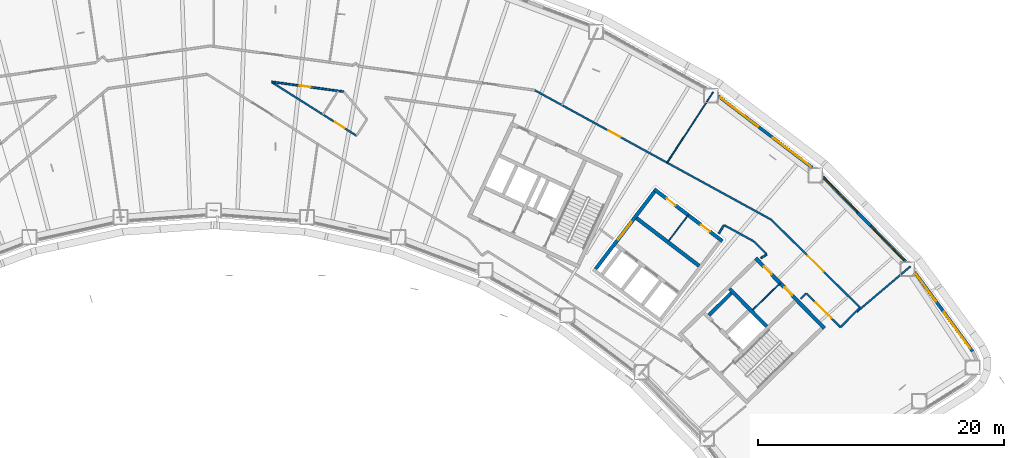
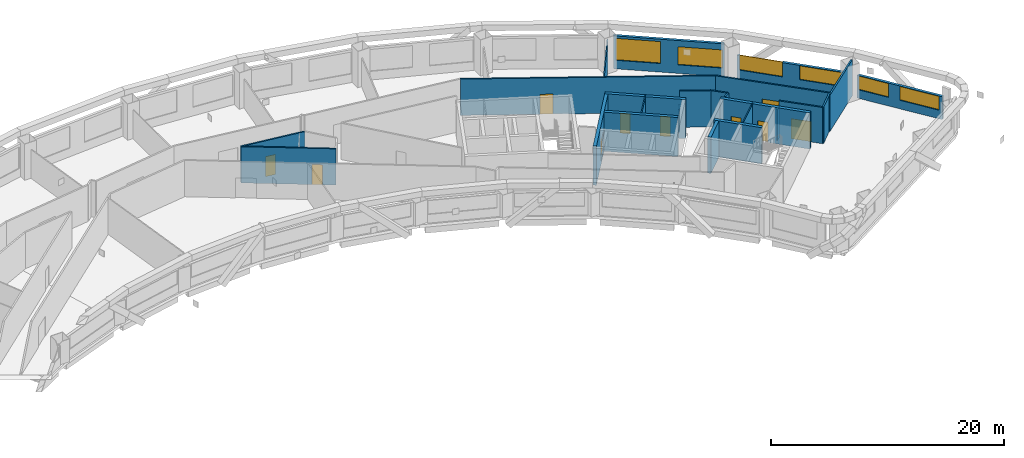
# One storey, part 7 of 19: 24 walls, 10 doors, 6 windows, 16 openings.
"""IFC4 building model written with IfcOpenShell, lengths in metres."""

from ifc_helpers import new_model, si_unit, direction, frame, frame_2d, origin, place, context, subcontext, project, spatial, rectangle, extrude, material, layer, layer_set, type_object, element, fill, save


model = new_model("IFC4")

# Units and contexts
model_context = context("Model", 3, precision=1e-05, world=origin(), true_north=direction((0.0, 1.0)))
body_context = subcontext(model_context, "Body", "Model", "MODEL_VIEW")
ifc_project = project(units=[si_unit("LENGTHUNIT", "METRE"), si_unit("AREAUNIT", "SQUARE_METRE"), si_unit("VOLUMEUNIT", "CUBIC_METRE"), si_unit("PLANEANGLEUNIT", "RADIAN"), si_unit("MASSUNIT", "GRAM", prefix="KILO")], contexts=[model_context])

# Site, building, storey
site_placement = place(None, origin())
site = spatial("IfcSite", under=ifc_project, at=site_placement, CompositionType="ELEMENT")
building_placement = place(site_placement, origin())
building = spatial("IfcBuilding", under=site, at=building_placement, Name="Tuul Gate Civic Tower", CompositionType="ELEMENT")
storey_placement = place(building_placement, frame((0.0, 0.0, 90.60009765625)))
storey = spatial("IfcBuildingStorey", under=building, at=storey_placement, Name="Level 20", CompositionType="ELEMENT", Elevation=90.60009765625)

# Wall
ifc_material_1 = material(Name="Concrete C50/60", Category="concrete")
ifc_layer_1 = layer(ifc_material_1, 0.300048828125)
ifc_layer_set_1 = layer_set([ifc_layer_1], Name="Concrete C50/60")
wall_type_1 = type_object("IfcWallType", Name="Core wall C50/60", PredefinedType="SHEAR", material=ifc_layer_set_1)
wall_1_placement = place(storey_placement, frame((49.737060546875, -12.0849609375, 0.0), z_axis=(0.0, 0.0, 1.0), x_axis=(-0.700002721075, 0.714140175657, 0.0)))
element("IfcWall", 1, at=wall_1_placement, inside=storey, type_object=wall_type_1, Name="Core wall", PredefinedType="SHEAR", context=body_context, shape_type="SweptSolid", body=[
    extrude(rectangle(XDim=4.300048828125, YDim=0.300048828125, at=frame_2d((2.14990234375, 0.0))), origin(), (0.0, 0.0, 1.0), 3.7998046875),
])

# Wall, openings, doors
wall_2_placement = place(storey_placement, frame((54.43798828125, -12.23779296875, 0.0), z_axis=(0.0, 0.0, 1.0), x_axis=(-0.700021979774, 0.714121297703, 0.0)))
wall_2 = element("IfcWall", 2, at=wall_2_placement, inside=storey, type_object=wall_type_1, Name="Core wall", PredefinedType="SHEAR", context=body_context, shape_type="SweptSolid", body=[
    extrude(rectangle(XDim=8.0, YDim=0.300048828125, at=frame_2d((4.0, 0.0))), origin(), (0.0, 0.0, 1.0), 3.7998046875),
])
opening_1_placement = place(wall_2_placement, frame((3.75, 0.0, 0.0)))
opening_1 = element("IfcOpeningElement", 3, at=opening_1_placement, cuts=wall_2, Name="Opening F-D29", PredefinedType="OPENING", context=body_context, shape_type="SweptSolid", body=[
    extrude(rectangle(XDim=0.89990234375, YDim=2.10009765625, at=frame_2d((0.449951171875, 1.050048828125))), frame((0.0, 0.16015625, 0.0), z_axis=(0.0, -1.0, 0.0), x_axis=(1.0, 0.0, 0.0)), (0.0, 0.0, 1.0), 0.320068359375),
])
opening_2_placement = place(wall_2_placement, frame((6.125, 0.0, 0.0)))
opening_2 = element("IfcOpeningElement", 4, at=opening_2_placement, cuts=wall_2, Name="Opening F-D30", PredefinedType="OPENING", context=body_context, shape_type="SweptSolid", body=[
    extrude(rectangle(XDim=0.89990234375, YDim=2.10009765625, at=frame_2d((0.449951171875, 1.050048828125))), frame((0.0, 0.16015625, 0.0), z_axis=(0.0, -1.0, 0.0), x_axis=(1.0, 0.0, 0.0)), (0.0, 0.0, 1.0), 0.320068359375),
])
ifc_material_2 = material(Name="Timber door leaf", Category="wood")
door_type_1 = type_object("IfcDoorType", Name="Door D09", OperationType="NOTDEFINED", PredefinedType="DOOR", material=ifc_material_2)
door_1_placement = place(opening_1_placement, origin())
door_1 = element("IfcDoor", 5, at=door_1_placement, inside=storey, type_object=door_type_1, Name="Door F-D29", OperationType="SINGLE_SWING_LEFT", OverallHeight=2.10009765625, OverallWidth=0.89990234375, PredefinedType="DOOR", context=body_context, shape_type="SweptSolid", body=[
    extrude(rectangle(XDim=0.89990234375, YDim=2.10009765625, at=frame_2d((0.449951171875, 1.050048828125))), frame((0.0, 0.02490234375, 0.0), z_axis=(0.0, -1.0, 0.0), x_axis=(1.0, 0.0, 0.0)), (0.0, 0.0, 1.0), 0.050048828125),
])
fill(opening_1, door_1)
door_2_placement = place(opening_2_placement, origin())
door_2 = element("IfcDoor", 6, at=door_2_placement, inside=storey, type_object=door_type_1, Name="Door F-D30", OperationType="SINGLE_SWING_LEFT", OverallHeight=2.10009765625, OverallWidth=0.89990234375, PredefinedType="DOOR", context=body_context, shape_type="SweptSolid", body=[
    extrude(rectangle(XDim=0.89990234375, YDim=2.10009765625, at=frame_2d((0.449951171875, 1.050048828125))), frame((0.0, 0.02490234375, 0.0), z_axis=(0.0, -1.0, 0.0), x_axis=(1.0, 0.0, 0.0)), (0.0, 0.0, 1.0), 0.050048828125),
])
fill(opening_2, door_2)

# Walls
wall_3_placement = place(storey_placement, frame((45.0439453125, -11.154052734375, 0.0), z_axis=(0.0, 0.0, 1.0), x_axis=(0.714108498262, 0.700035036773, 0.0)))
element("IfcWall", 7, at=wall_3_placement, inside=storey, type_object=wall_type_1, Name="Core wall", PredefinedType="SHEAR", context=body_context, shape_type="SweptSolid", body=[
    extrude(rectangle(XDim=2.550048828125, YDim=0.300048828125, at=frame_2d((1.27490234375, 0.0))), origin(), (0.0, 0.0, 1.0), 3.7998046875),
])
ifc_material_3 = material(Name="Gypsum board partition")
ifc_layer_2 = layer(ifc_material_3, 0.14990234375)
ifc_layer_set_2 = layer_set([ifc_layer_2], Name="Gypsum board partition")
wall_type_2 = type_object("IfcWallType", Name="Corridor wall P150", PredefinedType="PARTITIONING", material=ifc_layer_set_2)
wall_4_placement = place(storey_placement, frame((57.06787109375, -10.894775390625, 0.0), z_axis=(0.0, 0.0, 1.0), x_axis=(0.762772520213, 0.646666902206, 0.0)))
element("IfcWall", 8, at=wall_4_placement, inside=storey, type_object=wall_type_2, Name="p005", PredefinedType="PARTITIONING", context=body_context, shape_type="SweptSolid", body=[
    extrude(rectangle(XDim=5.7216796875, YDim=0.14990234375, at=frame_2d((2.86083984375, 0.0))), origin(), (0.0, 0.0, 1.0), 3.7998046875),
])
wall_5_placement = place(storey_placement, frame((55.7421875, -12.146484375, 0.0), z_axis=(0.0, 0.0, 1.0), x_axis=(0.703788490307, 0.710409572649, 0.0)))
element("IfcWall", 9, at=wall_5_placement, inside=storey, type_object=wall_type_2, Name="p006", PredefinedType="PARTITIONING", context=body_context, shape_type="SweptSolid", body=[
    extrude(rectangle(XDim=2.249267578125, YDim=0.14990234375, at=frame_2d((1.12451171875, 0.0))), origin(), (0.0, 0.0, 1.0), 3.7998046875),
])

# Wall, opening, door
wall_6_placement = place(storey_placement, frame((50.1171875, -3.406494140625, 0.0), z_axis=(0.0, 0.0, 1.0), x_axis=(0.710383510351, -0.703814796819, 0.0)))
wall_6 = element("IfcWall", 10, at=wall_6_placement, inside=storey, type_object=wall_type_2, Name="p007", PredefinedType="PARTITIONING", context=body_context, shape_type="SweptSolid", body=[
    extrude(rectangle(XDim=10.146728515625, YDim=0.14990234375, at=frame_2d((5.0732421875, 0.0))), origin(), (0.0, 0.0, 1.0), 3.7998046875),
])
opening_3_placement = place(wall_6_placement, frame((4.17333984375, 0.0, 0.0)))
opening_3 = element("IfcOpeningElement", 11, at=opening_3_placement, cuts=wall_6, Name="Opening F-D01", PredefinedType="OPENING", context=body_context, shape_type="SweptSolid", body=[
    extrude(rectangle(XDim=1.800048828125, YDim=2.10009765625, at=frame_2d((0.89990234375, 1.050048828125))), frame((0.0, 0.0849609375, 0.0), z_axis=(0.0, -1.0, 0.0), x_axis=(1.0, 0.0, 0.0)), (0.0, 0.0, 1.0), 0.169921875),
])
ifc_material_4 = material(Name="Timber door leaf, double", Category="wood")
door_type_2 = type_object("IfcDoorType", Name="Door D18", OperationType="DOUBLE_DOOR_SINGLE_SWING", PredefinedType="DOOR", material=ifc_material_4)
door_3_placement = place(opening_3_placement, origin())
door_3 = element("IfcDoor", 12, at=door_3_placement, inside=storey, type_object=door_type_2, Name="Door F-D01", OperationType="DOUBLE_DOOR_SINGLE_SWING", OverallHeight=2.10009765625, OverallWidth=1.800048828125, PredefinedType="DOOR", context=body_context, shape_type="SweptSolid", body=[
    extrude(rectangle(XDim=1.800048828125, YDim=2.10009765625, at=frame_2d((0.89990234375, 1.050048828125))), frame((0.0, 0.02490234375, 0.0), z_axis=(0.0, -1.0, 0.0), x_axis=(1.0, 0.0, 0.0)), (0.0, 0.0, 1.0), 0.050048828125),
])
fill(opening_3, door_3)

wall_7_placement = place(storey_placement, frame((30.8818359375, 7.12158203125, 0.0), z_axis=(0.0, 0.0, 1.0), x_axis=(0.877209600758, -0.480107609122, 0.0)))
wall_7 = element("IfcWall", 13, at=wall_7_placement, inside=storey, type_object=wall_type_2, Name="p008", PredefinedType="PARTITIONING", context=body_context, shape_type="SweptSolid", body=[
    extrude(rectangle(XDim=21.927001953125, YDim=0.14990234375, at=frame_2d((10.96337890625, 0.0))), origin(), (0.0, 0.0, 1.0), 3.7998046875),
])
opening_4_placement = place(wall_7_placement, frame((6.857666015625, 0.0, 0.0)))
opening_4 = element("IfcOpeningElement", 14, at=opening_4_placement, cuts=wall_7, Name="Opening F-D02", PredefinedType="OPENING", context=body_context, shape_type="SweptSolid", body=[
    extrude(rectangle(XDim=1.10009765625, YDim=2.10009765625, at=frame_2d((0.550048828125, 1.050048828125))), frame((0.0, 0.0849609375, 0.0), z_axis=(0.0, -1.0, 0.0), x_axis=(1.0, 0.0, 0.0)), (0.0, 0.0, 1.0), 0.169921875),
])
ifc_material_5 = material(Name="Timber door leaf", Category="wood")
door_type_3 = type_object("IfcDoorType", Name="Door D11", OperationType="NOTDEFINED", PredefinedType="DOOR", material=ifc_material_5)
door_4_placement = place(opening_4_placement, origin())
door_4 = element("IfcDoor", 15, at=door_4_placement, inside=storey, type_object=door_type_3, Name="Door F-D02", OperationType="SINGLE_SWING_RIGHT", OverallHeight=2.10009765625, OverallWidth=1.10009765625, PredefinedType="DOOR", context=body_context, shape_type="SweptSolid", body=[
    extrude(rectangle(XDim=1.10009765625, YDim=2.10009765625, at=frame_2d((0.550048828125, 1.050048828125))), frame((0.0, 0.02490234375, 0.0), z_axis=(0.0, -1.0, 0.0), x_axis=(1.0, 0.0, 0.0)), (0.0, 0.0, 1.0), 0.050048828125),
])
fill(opening_4, door_4)

wall_8_placement = place(storey_placement, frame((9.52685546875, 7.7978515625, 0.0), z_axis=(0.0, 0.0, 1.0), x_axis=(0.990753809907, -0.135671987362, 0.0)))
wall_8 = element("IfcWall", 16, at=wall_8_placement, inside=storey, type_object=wall_type_2, Name="p048", PredefinedType="PARTITIONING", context=body_context, shape_type="SweptSolid", body=[
    extrude(rectangle(XDim=5.887939453125, YDim=0.14990234375, at=frame_2d((2.94384765625, 0.0))), origin(), (0.0, 0.0, 1.0), 3.7998046875),
])
opening_5_placement = place(wall_8_placement, frame((2.280517578125, 0.0, 0.0)))
opening_5 = element("IfcOpeningElement", 17, at=opening_5_placement, cuts=wall_8, Name="Opening F-D24", PredefinedType="OPENING", context=body_context, shape_type="SweptSolid", body=[
    extrude(rectangle(XDim=0.89990234375, YDim=2.10009765625, at=frame_2d((0.449951171875, 1.050048828125))), frame((0.0, 0.0849609375, 0.0), z_axis=(0.0, -1.0, 0.0), x_axis=(1.0, 0.0, 0.0)), (0.0, 0.0, 1.0), 0.169921875),
])
door_5_placement = place(opening_5_placement, frame((0.89990234375, 0.0, 0.0), z_axis=(0.0, 0.0, 1.0), x_axis=(-1.0, 0.0, 0.0)))
door_5 = element("IfcDoor", 18, at=door_5_placement, inside=storey, type_object=door_type_1, Name="Door F-D24", OperationType="SINGLE_SWING_LEFT", OverallHeight=2.10009765625, OverallWidth=0.89990234375, PredefinedType="DOOR", context=body_context, shape_type="SweptSolid", body=[
    extrude(rectangle(XDim=0.89990234375, YDim=2.10009765625, at=frame_2d((0.449951171875, 1.050048828125))), frame((0.0, 0.02490234375, 0.0), z_axis=(0.0, -1.0, 0.0), x_axis=(1.0, 0.0, 0.0)), (0.0, 0.0, 1.0), 0.050048828125),
])
fill(opening_5, door_5)

wall_9_placement = place(storey_placement, frame((9.5185546875, 7.767822265625, 0.0), z_axis=(0.0, 0.0, 1.0), x_axis=(0.845515942954, -0.533950175776, 0.0)))
wall_9 = element("IfcWall", 19, at=wall_9_placement, inside=storey, type_object=wall_type_2, Name="p051", PredefinedType="PARTITIONING", context=body_context, shape_type="SweptSolid", body=[
    extrude(rectangle(XDim=8.152587890625, YDim=0.14990234375, at=frame_2d((4.076171875, 0.0))), origin(), (0.0, 0.0, 1.0), 3.7998046875),
])
opening_6_placement = place(wall_9_placement, frame((6.09228515625, 0.0, 0.0)))
opening_6 = element("IfcOpeningElement", 20, at=opening_6_placement, cuts=wall_9, Name="Opening F-D17", PredefinedType="OPENING", context=body_context, shape_type="SweptSolid", body=[
    extrude(rectangle(XDim=0.89990234375, YDim=2.10009765625, at=frame_2d((0.449951171875, 1.050048828125))), frame((0.0, 0.0849609375, 0.0), z_axis=(0.0, -1.0, 0.0), x_axis=(1.0, 0.0, 0.0)), (0.0, 0.0, 1.0), 0.169921875),
])
door_6_placement = place(opening_6_placement, origin())
door_6 = element("IfcDoor", 21, at=door_6_placement, inside=storey, type_object=door_type_1, Name="Door F-D17", OperationType="SINGLE_SWING_RIGHT", OverallHeight=2.10009765625, OverallWidth=0.89990234375, PredefinedType="DOOR", context=body_context, shape_type="SweptSolid", body=[
    extrude(rectangle(XDim=0.89990234375, YDim=2.10009765625, at=frame_2d((0.449951171875, 1.050048828125))), frame((0.0, 0.02490234375, 0.0), z_axis=(0.0, -1.0, 0.0), x_axis=(1.0, 0.0, 0.0)), (0.0, 0.0, 1.0), 0.050048828125),
])
fill(opening_6, door_6)

# Walls
wall_10_placement = place(storey_placement, frame((46.296142578125, -3.852783203125, 0.0), z_axis=(0.0, 0.0, 1.0), x_axis=(0.877427007324, -0.479710169601, 0.0)))
element("IfcWall", 22, at=wall_10_placement, inside=storey, type_object=wall_type_2, Name="p056", PredefinedType="PARTITIONING", context=body_context, shape_type="SweptSolid", body=[
    extrude(rectangle(XDim=2.73046875, YDim=0.14990234375, at=frame_2d((1.365234375, 0.0))), origin(), (0.0, 0.0, 1.0), 3.7998046875),
])
wall_11_placement = place(storey_placement, frame((48.696533203125, -5.166015625, 0.0), z_axis=(0.0, 0.0, 1.0), x_axis=(0.710333450834, -0.703865319949, 0.0)))
element("IfcWall", 23, at=wall_11_placement, inside=storey, type_object=wall_type_2, Name="p057", PredefinedType="PARTITIONING", context=body_context, shape_type="SweptSolid", body=[
    extrude(rectangle(XDim=1.47216796875, YDim=0.14990234375, at=frame_2d((0.736083984375, 0.0))), origin(), (0.0, 0.0, 1.0), 3.7998046875),
])

# Wall, opening, door
wall_12_placement = place(storey_placement, frame((52.975830078125, -9.40576171875, 0.0), z_axis=(0.0, 0.0, 1.0), x_axis=(0.710390578104, -0.703807663031, 0.0)))
wall_12 = element("IfcWall", 24, at=wall_12_placement, inside=storey, type_object=wall_type_2, Name="p058", PredefinedType="PARTITIONING", context=body_context, shape_type="SweptSolid", body=[
    extrude(rectangle(XDim=3.89404296875, YDim=0.14990234375, at=frame_2d((1.947021484375, 0.0))), origin(), (0.0, 0.0, 1.0), 3.7998046875),
])
opening_7_placement = place(wall_12_placement, frame((1.047119140625, 0.0, 0.0)))
opening_7 = element("IfcOpeningElement", 25, at=opening_7_placement, cuts=wall_12, Name="Opening F-D23", PredefinedType="OPENING", context=body_context, shape_type="SweptSolid", body=[
    extrude(rectangle(XDim=1.800048828125, YDim=2.10009765625, at=frame_2d((0.89990234375, 1.050048828125))), frame((0.0, 0.0849609375, 0.0), z_axis=(0.0, -1.0, 0.0), x_axis=(1.0, 0.0, 0.0)), (0.0, 0.0, 1.0), 0.169921875),
])
door_7_placement = place(opening_7_placement, origin())
door_7 = element("IfcDoor", 26, at=door_7_placement, inside=storey, type_object=door_type_2, Name="Door F-D23", OperationType="DOUBLE_DOOR_SINGLE_SWING", OverallHeight=2.10009765625, OverallWidth=1.800048828125, PredefinedType="DOOR", context=body_context, shape_type="SweptSolid", body=[
    extrude(rectangle(XDim=1.800048828125, YDim=2.10009765625, at=frame_2d((0.89990234375, 1.050048828125))), frame((0.0, 0.02490234375, 0.0), z_axis=(0.0, -1.0, 0.0), x_axis=(1.0, 0.0, 0.0)), (0.0, 0.0, 1.0), 0.050048828125),
])
fill(opening_7, door_7)

# Walls
wall_13_placement = place(storey_placement, frame((49.26708984375, -6.53369140625, 0.0), z_axis=(0.0, 0.0, 1.0), x_axis=(0.843481763289, 0.537157812006, 0.0)))
element("IfcWall", 27, at=wall_13_placement, inside=storey, type_object=wall_type_2, Name="p059", PredefinedType="PARTITIONING", context=body_context, shape_type="SweptSolid", body=[
    extrude(rectangle(XDim=0.5595703125, YDim=0.14990234375, at=frame_2d((0.27978515625, 0.0))), origin(), (0.0, 0.0, 1.0), 3.7998046875),
])
ifc_material_6 = material(Name="Gypsum board partition")
ifc_layer_3 = layer(ifc_material_6, 0.14990234375)
ifc_layer_set_3 = layer_set([ifc_layer_3], Name="Gypsum board partition")
wall_type_3 = type_object("IfcWallType", Name="Corridor wall P150 2400 HIGH", PredefinedType="PARTITIONING", material=ifc_layer_set_3)
wall_14_placement = place(storey_placement, frame((45.83740234375, -4.530517578125, 0.0), z_axis=(0.0, 0.0, 1.0), x_axis=(0.541715741872, 0.84056174967, 0.0)))
element("IfcWall", 28, at=wall_14_placement, inside=storey, type_object=wall_type_3, Name="p055", PredefinedType="PARTITIONING", context=body_context, shape_type="SweptSolid", body=[
    extrude(rectangle(XDim=0.798095703125, YDim=0.14990234375, at=frame_2d((0.39892578125, 0.0))), origin(), (0.0, 0.0, 1.0), 2.39990234375),
])
ifc_material_7 = material(Name="Gypsum board partition")
ifc_layer_4 = layer(ifc_material_7, 0.14990234375)
ifc_layer_set_4 = layer_set([ifc_layer_4], Name="Gypsum board partition")
wall_type_4 = type_object("IfcWallType", Name="Corridor wall P150 3300 HIGH", PredefinedType="PARTITIONING", material=ifc_layer_set_4)
wall_15_placement = place(storey_placement, frame((52.50048828125, -9.8330078125, 0.0), z_axis=(0.0, 0.0, 1.0), x_axis=(0.722907467447, 0.690944855622, 0.0)))
element("IfcWall", 29, at=wall_15_placement, inside=storey, type_object=wall_type_4, Name="p064", PredefinedType="PARTITIONING", context=body_context, shape_type="SweptSolid", body=[
    extrude(rectangle(XDim=0.61865234375, YDim=0.14990234375, at=frame_2d((0.309326171875, 0.0))), origin(), (0.0, 0.0, 1.0), 3.2998046875),
])

# Wall, openings, windows
ifc_material_8 = material(Name="Precast concrete C40/50", Category="concrete")
ifc_layer_5 = layer(ifc_material_8, 0.25)
ifc_layer_set_5 = layer_set([ifc_layer_5], Name="Precast concrete C40/50")
wall_type_5 = type_object("IfcWallType", Name="External wall", PredefinedType="STANDARD", material=ifc_layer_set_5)
wall_16_placement = place(storey_placement, frame((53.45361328125, 0.81591796875, 0.0), z_axis=(0.0, 0.0, 1.0), x_axis=(-0.795611381341, 0.605807337262, 0.0)))
wall_16 = element("IfcWall", 30, at=wall_16_placement, inside=storey, type_object=wall_type_5, Name="External wall", PredefinedType="STANDARD", context=body_context, shape_type="SweptSolid", body=[
    extrude(rectangle(XDim=9.60595703125, YDim=0.25, at=frame_2d((4.802978515625, 0.0))), origin(), (0.0, 0.0, 1.0), 3.449951171875),
])
opening_8_placement = place(wall_16_placement, frame((0.1640625, 0.0, 0.89990234375)))
opening_8 = element("IfcOpeningElement", 31, at=opening_8_placement, cuts=wall_16, Name="Opening W141", PredefinedType="OPENING", context=body_context, shape_type="SweptSolid", body=[
    extrude(rectangle(XDim=3.85009765625, YDim=1.89990234375, at=frame_2d((1.925048828125, 0.949951171875))), frame((0.0, 0.135009765625, 0.0), z_axis=(0.0, -1.0, 0.0), x_axis=(1.0, 0.0, 0.0)), (0.0, 0.0, 1.0), 0.27001953125),
])
opening_9_placement = place(wall_16_placement, frame((5.535400390625, 0.0, 0.89990234375)))
opening_9 = element("IfcOpeningElement", 32, at=opening_9_placement, cuts=wall_16, Name="Opening W22", PredefinedType="OPENING", context=body_context, shape_type="SweptSolid", body=[
    extrude(rectangle(XDim=3.85009765625, YDim=2.300048828125, at=frame_2d((1.925048828125, 1.14990234375))), frame((0.0, 0.135009765625, 0.0), z_axis=(0.0, -1.0, 0.0), x_axis=(1.0, 0.0, 0.0)), (0.0, 0.0, 1.0), 0.27001953125),
])
ifc_material_9 = material(Name="Glass", Category="glass")
window_type_1 = type_object("IfcWindowType", Name="Window W141 3850 x 1900", PartitioningType="SINGLE_PANEL", PredefinedType="WINDOW", material=ifc_material_9)
window_1_placement = place(opening_8_placement, origin())
window_1 = element("IfcWindow", 33, at=window_1_placement, inside=storey, type_object=window_type_1, Name="Window", OverallHeight=1.89990234375, OverallWidth=3.85009765625, PartitioningType="SINGLE_PANEL", PredefinedType="WINDOW", context=body_context, shape_type="SweptSolid", body=[
    extrude(rectangle(XDim=3.85009765625, YDim=1.89990234375, at=frame_2d((1.925048828125, 0.949951171875))), frame((0.0, 0.030029296875, 0.0), z_axis=(0.0, -1.0, 0.0), x_axis=(1.0, 0.0, 0.0)), (0.0, 0.0, 1.0), 0.06005859375),
])
fill(opening_8, window_1)
ifc_material_10 = material(Name="Glass", Category="glass")
window_type_2 = type_object("IfcWindowType", Name="Window W22 3850 x 2300", PartitioningType="SINGLE_PANEL", PredefinedType="WINDOW", material=ifc_material_10)
window_2_placement = place(opening_9_placement, origin())
window_2 = element("IfcWindow", 34, at=window_2_placement, inside=storey, type_object=window_type_2, Name="Window", OverallHeight=2.300048828125, OverallWidth=3.85009765625, PartitioningType="SINGLE_PANEL", PredefinedType="WINDOW", context=body_context, shape_type="SweptSolid", body=[
    extrude(rectangle(XDim=3.85009765625, YDim=2.300048828125, at=frame_2d((1.925048828125, 1.14990234375))), frame((0.0, 0.030029296875, 0.0), z_axis=(0.0, -1.0, 0.0), x_axis=(1.0, 0.0, 0.0)), (0.0, 0.0, 1.0), 0.06005859375),
])
fill(opening_9, window_2)

ifc_material_11 = material(Name="Precast concrete C40/50", Category="concrete")
ifc_layer_6 = layer(ifc_material_11, 0.25)
ifc_layer_set_6 = layer_set([ifc_layer_6], Name="Precast concrete C40/50")
wall_type_6 = type_object("IfcWallType", Name="External wall 2400 HIGH", PredefinedType="STANDARD", material=ifc_layer_set_6)
wall_17_placement = place(storey_placement, frame((66.498046875, -14.138671875, 0.0), z_axis=(0.0, 0.0, 1.0), x_axis=(-0.589838269776, 0.807521402508, 0.0)))
wall_17 = element("IfcWall", 35, at=wall_17_placement, inside=storey, type_object=wall_type_6, Name="External wall", PredefinedType="STANDARD", context=body_context, shape_type="SweptSolid", body=[
    extrude(rectangle(XDim=7.998779296875, YDim=0.25, at=frame_2d((3.99951171875, 0.0))), origin(), (0.0, 0.0, 1.0), 2.39990234375),
])
opening_10_placement = place(wall_17_placement, frame((0.301025390625, 0.0, 0.89990234375)))
opening_10 = element("IfcOpeningElement", 36, at=opening_10_placement, cuts=wall_17, Name="Opening W109", PredefinedType="OPENING", context=body_context, shape_type="SweptSolid", body=[
    extrude(rectangle(XDim=3.699951171875, YDim=1.449951171875, at=frame_2d((1.85009765625, 0.72509765625))), frame((0.0, 0.135009765625, 0.0), z_axis=(0.0, -1.0, 0.0), x_axis=(1.0, 0.0, 0.0)), (0.0, 0.0, 1.0), 0.27001953125),
])
opening_11_placement = place(wall_17_placement, frame((5.052978515625, 0.0, 0.89990234375)))
opening_11 = element("IfcOpeningElement", 37, at=opening_11_placement, cuts=wall_17, Name="Opening W110", PredefinedType="OPENING", context=body_context, shape_type="SweptSolid", body=[
    extrude(rectangle(XDim=2.800048828125, YDim=1.449951171875, at=frame_2d((1.39990234375, 0.72509765625))), frame((0.0, 0.135009765625, 0.0), z_axis=(0.0, -1.0, 0.0), x_axis=(1.0, 0.0, 0.0)), (0.0, 0.0, 1.0), 0.27001953125),
])
ifc_material_12 = material(Name="Glass", Category="glass")
window_type_3 = type_object("IfcWindowType", Name="Window W109 3700 x 1450", PartitioningType="SINGLE_PANEL", PredefinedType="WINDOW", material=ifc_material_12)
window_3_placement = place(opening_10_placement, origin())
window_3 = element("IfcWindow", 38, at=window_3_placement, inside=storey, type_object=window_type_3, Name="Window", OverallHeight=1.449951171875, OverallWidth=3.699951171875, PartitioningType="SINGLE_PANEL", PredefinedType="WINDOW", context=body_context, shape_type="SweptSolid", body=[
    extrude(rectangle(XDim=3.699951171875, YDim=1.449951171875, at=frame_2d((1.85009765625, 0.72509765625))), frame((0.0, 0.030029296875, 0.0), z_axis=(0.0, -1.0, 0.0), x_axis=(1.0, 0.0, 0.0)), (0.0, 0.0, 1.0), 0.06005859375),
])
fill(opening_10, window_3)
ifc_material_13 = material(Name="Glass", Category="glass")
window_type_4 = type_object("IfcWindowType", Name="Window W110 2800 x 1450", PartitioningType="SINGLE_PANEL", PredefinedType="WINDOW", material=ifc_material_13)
window_4_placement = place(opening_11_placement, origin())
window_4 = element("IfcWindow", 39, at=window_4_placement, inside=storey, type_object=window_type_4, Name="Window", OverallHeight=1.449951171875, OverallWidth=2.800048828125, PartitioningType="SINGLE_PANEL", PredefinedType="WINDOW", context=body_context, shape_type="SweptSolid", body=[
    extrude(rectangle(XDim=2.800048828125, YDim=1.449951171875, at=frame_2d((1.39990234375, 0.72509765625))), frame((0.0, 0.030029296875, 0.0), z_axis=(0.0, -1.0, 0.0), x_axis=(1.0, 0.0, 0.0)), (0.0, 0.0, 1.0), 0.06005859375),
])
fill(opening_11, window_4)

wall_18_placement = place(storey_placement, frame((61.047119140625, -6.80908203125, 0.0), z_axis=(0.0, 0.0, 1.0), x_axis=(-0.700049104252, 0.714094707749, 0.0)))
wall_18 = element("IfcWall", 40, at=wall_18_placement, inside=storey, type_object=wall_type_6, Name="External wall", PredefinedType="STANDARD", context=body_context, shape_type="SweptSolid", body=[
    extrude(rectangle(XDim=9.629638671875, YDim=0.25, at=frame_2d((4.81494140625, 0.0))), origin(), (0.0, 0.0, 1.0), 2.39990234375),
])
opening_12_placement = place(wall_18_placement, frame((0.20703125, 0.0, 0.89990234375)))
opening_12 = element("IfcOpeningElement", 41, at=opening_12_placement, cuts=wall_18, Name="Opening W103", PredefinedType="OPENING", context=body_context, shape_type="SweptSolid", body=[
    extrude(rectangle(XDim=3.85009765625, YDim=1.449951171875, at=frame_2d((1.925048828125, 0.72509765625))), frame((0.0, 0.135009765625, 0.0), z_axis=(0.0, -1.0, 0.0), x_axis=(1.0, 0.0, 0.0)), (0.0, 0.0, 1.0), 0.27001953125),
])
opening_13_placement = place(wall_18_placement, frame((5.577880859375, 0.0, 0.89990234375)))
opening_13 = element("IfcOpeningElement", 42, at=opening_13_placement, cuts=wall_18, Name="Opening W155", PredefinedType="OPENING", context=body_context, shape_type="SweptSolid", body=[
    extrude(rectangle(XDim=3.85009765625, YDim=1.5, at=frame_2d((1.925048828125, 0.75))), frame((0.0, 0.135009765625, 0.0), z_axis=(0.0, -1.0, 0.0), x_axis=(1.0, 0.0, 0.0)), (0.0, 0.0, 1.0), 0.27001953125),
])
ifc_material_14 = material(Name="Glass", Category="glass")
window_type_5 = type_object("IfcWindowType", Name="Window 3850 x 1500", PartitioningType="SINGLE_PANEL", PredefinedType="WINDOW", material=ifc_material_14)
window_5_placement = place(opening_13_placement, origin())
window_5 = element("IfcWindow", 43, at=window_5_placement, inside=storey, type_object=window_type_5, Name="Window", OverallHeight=1.5, OverallWidth=3.85009765625, PartitioningType="SINGLE_PANEL", PredefinedType="WINDOW", context=body_context, shape_type="SweptSolid", body=[
    extrude(rectangle(XDim=3.85009765625, YDim=1.5, at=frame_2d((1.925048828125, 0.75))), frame((0.0, 0.030029296875, 0.0), z_axis=(0.0, -1.0, 0.0), x_axis=(1.0, 0.0, 0.0)), (0.0, 0.0, 1.0), 0.06005859375),
])
fill(opening_13, window_5)
ifc_material_15 = material(Name="Glass", Category="glass")
window_type_6 = type_object("IfcWindowType", Name="Window W103 3850 x 1450", PartitioningType="SINGLE_PANEL", PredefinedType="WINDOW", material=ifc_material_15)
window_6_placement = place(opening_12_placement, origin())
window_6 = element("IfcWindow", 44, at=window_6_placement, inside=storey, type_object=window_type_6, Name="Window", OverallHeight=1.449951171875, OverallWidth=3.85009765625, PartitioningType="SINGLE_PANEL", PredefinedType="WINDOW", context=body_context, shape_type="SweptSolid", body=[
    extrude(rectangle(XDim=3.85009765625, YDim=1.449951171875, at=frame_2d((1.925048828125, 0.72509765625))), frame((0.0, 0.030029296875, 0.0), z_axis=(0.0, -1.0, 0.0), x_axis=(1.0, 0.0, 0.0)), (0.0, 0.0, 1.0), 0.06005859375),
])
fill(opening_12, window_6)

# Wall
ifc_material_16 = material(Name="Concrete C40/50", Category="concrete")
ifc_layer_7 = layer(ifc_material_16, 0.300048828125)
ifc_layer_set_7 = layer_set([ifc_layer_7], Name="Concrete C40/50")
wall_type_7 = type_object("IfcWallType", Name="Lift shaft wall C40/50", PredefinedType="STANDARD", material=ifc_layer_set_7)
wall_19_placement = place(storey_placement, frame((44.254638671875, -7.15966796875, -0.300048828125), z_axis=(0.0, 0.0, 1.0), x_axis=(-0.795565675562, 0.605867358312, 0.0)))
element("IfcWall", 45, at=wall_19_placement, inside=storey, type_object=wall_type_7, Name="Shaft wall", PredefinedType="STANDARD", context=body_context, shape_type="SweptSolid", body=[
    extrude(rectangle(XDim=6.400146484375, YDim=0.300048828125, at=frame_2d((3.2001953125, 0.0))), origin(), (0.0, 0.0, 1.0), 4.099853515625),
])

# Wall, openings, doors
wall_20_placement = place(storey_placement, frame((46.1591796875, -5.1533203125, -0.300048828125), z_axis=(0.0, 0.0, 1.0), x_axis=(-0.795579811045, 0.605848796531, 0.0)))
wall_20 = element("IfcWall", 46, at=wall_20_placement, inside=storey, type_object=wall_type_7, Name="Shaft wall", PredefinedType="STANDARD", context=body_context, shape_type="SweptSolid", body=[
    extrude(rectangle(XDim=7.0, YDim=0.300048828125, at=frame_2d((3.5, 0.0))), origin(), (0.0, 0.0, 1.0), 4.099853515625),
])
opening_14_placement = place(wall_20_placement, frame((1.300048828125, 0.0, 0.0)))
opening_14 = element("IfcOpeningElement", 47, at=opening_14_placement, cuts=wall_20, Name="Opening F-D27", PredefinedType="OPENING", context=body_context, shape_type="SweptSolid", body=[
    extrude(rectangle(XDim=0.89990234375, YDim=2.10009765625, at=frame_2d((0.449951171875, 1.050048828125))), frame((0.0, 0.16015625, 0.0), z_axis=(0.0, -1.0, 0.0), x_axis=(1.0, 0.0, 0.0)), (0.0, 0.0, 1.0), 0.320068359375),
])
opening_15_placement = place(wall_20_placement, frame((4.800048828125, 0.0, 0.0)))
opening_15 = element("IfcOpeningElement", 48, at=opening_15_placement, cuts=wall_20, Name="Opening F-D28", PredefinedType="OPENING", context=body_context, shape_type="SweptSolid", body=[
    extrude(rectangle(XDim=0.89990234375, YDim=2.10009765625, at=frame_2d((0.449951171875, 1.050048828125))), frame((0.0, 0.16015625, 0.0), z_axis=(0.0, -1.0, 0.0), x_axis=(1.0, 0.0, 0.0)), (0.0, 0.0, 1.0), 0.320068359375),
])
door_8_placement = place(opening_14_placement, origin())
door_8 = element("IfcDoor", 49, at=door_8_placement, inside=storey, type_object=door_type_1, Name="Door F-D27", OperationType="SINGLE_SWING_LEFT", OverallHeight=2.10009765625, OverallWidth=0.89990234375, PredefinedType="DOOR", context=body_context, shape_type="SweptSolid", body=[
    extrude(rectangle(XDim=0.89990234375, YDim=2.10009765625, at=frame_2d((0.449951171875, 1.050048828125))), frame((0.0, 0.02490234375, 0.0), z_axis=(0.0, -1.0, 0.0), x_axis=(1.0, 0.0, 0.0)), (0.0, 0.0, 1.0), 0.050048828125),
])
fill(opening_14, door_8)
door_9_placement = place(opening_15_placement, origin())
door_9 = element("IfcDoor", 50, at=door_9_placement, inside=storey, type_object=door_type_1, Name="Door F-D28", OperationType="SINGLE_SWING_RIGHT", OverallHeight=2.10009765625, OverallWidth=0.89990234375, PredefinedType="DOOR", context=body_context, shape_type="SweptSolid", body=[
    extrude(rectangle(XDim=0.89990234375, YDim=2.10009765625, at=frame_2d((0.449951171875, 1.050048828125))), frame((0.0, 0.02490234375, 0.0), z_axis=(0.0, -1.0, 0.0), x_axis=(1.0, 0.0, 0.0)), (0.0, 0.0, 1.0), 0.050048828125),
])
fill(opening_15, door_9)

# Wall, opening, door
wall_21_placement = place(storey_placement, frame((35.8330078125, -7.408203125, -0.300048828125), z_axis=(0.0, 0.0, 1.0), x_axis=(0.605769437763, 0.795640237967, 0.0)))
wall_21 = element("IfcWall", 51, at=wall_21_placement, inside=storey, type_object=wall_type_7, Name="Shaft wall", PredefinedType="STANDARD", context=body_context, shape_type="SweptSolid", body=[
    extrude(rectangle(XDim=7.900146484375, YDim=0.300048828125, at=frame_2d((3.9501953125, 0.0))), origin(), (0.0, 0.0, 1.0), 4.099853515625),
])
opening_16_placement = place(wall_21_placement, frame((3.02490234375, 0.0, 0.300048828125)))
opening_16 = element("IfcOpeningElement", 52, at=opening_16_placement, cuts=wall_21, Name="Opening LB-E2-LOBBY-1", PredefinedType="OPENING", context=body_context, shape_type="SweptSolid", body=[
    extrude(rectangle(XDim=1.800048828125, YDim=2.10009765625, at=frame_2d((0.89990234375, 1.050048828125))), frame((0.0, 0.16015625, 0.0), z_axis=(0.0, -1.0, 0.0), x_axis=(1.0, 0.0, 0.0)), (0.0, 0.0, 1.0), 0.320068359375),
])
ifc_material_17 = material(Name="Steel", Category="steel")
door_type_4 = type_object("IfcDoorType", Name="Lobby door", OperationType="DOUBLE_DOOR_SINGLE_SWING", PredefinedType="DOOR", material=ifc_material_17)
door_10_placement = place(opening_16_placement, frame((1.800048828125, 0.0, 0.0), z_axis=(0.0, 0.0, 1.0), x_axis=(-1.0, 0.0, 0.0)))
door_10 = element("IfcDoor", 53, at=door_10_placement, inside=storey, type_object=door_type_4, Name="Lobby door E2-LOBBY", OperationType="DOUBLE_DOOR_SINGLE_SWING", OverallHeight=2.10009765625, OverallWidth=1.800048828125, PredefinedType="DOOR", context=body_context, shape_type="SweptSolid", body=[
    extrude(rectangle(XDim=1.800048828125, YDim=2.10009765625, at=frame_2d((0.900146484375, 1.050048828125))), frame((0.0, 0.02490234375, 0.0), z_axis=(0.0, -1.0, 0.0), x_axis=(1.0, 0.0, 0.0)), (0.0, 0.0, 1.0), 0.050048828125),
])
fill(opening_16, door_10)

# Walls
ifc_material_18 = material(Name="Gypsum board partition")
ifc_layer_8 = layer(ifc_material_18, 0.10009765625)
ifc_layer_set_8 = layer_set([ifc_layer_8], Name="Gypsum board partition")
wall_type_8 = type_object("IfcWallType", Name="Partition P100", PredefinedType="PARTITIONING", material=ifc_layer_set_8)
wall_22_placement = place(storey_placement, frame((41.799560546875, -5.1015625, 0.0), z_axis=(0.0, 0.0, 1.0), x_axis=(0.605768745095, 0.795640765337, 0.0)))
element("IfcWall", 54, at=wall_22_placement, inside=storey, type_object=wall_type_8, Name="bE2-BAND-0", PredefinedType="PARTITIONING", context=body_context, shape_type="SweptSolid", body=[
    extrude(rectangle(XDim=2.599853515625, YDim=0.10009765625, at=frame_2d((1.2998046875, 0.0))), origin(), (0.0, 0.0, 1.0), 3.7998046875),
])
wall_23_placement = place(storey_placement, frame((48.619140625, -10.72998046875, 0.0), z_axis=(0.0, 0.0, 1.0), x_axis=(0.714159293908, 0.699983216173, 0.0)))
element("IfcWall", 55, at=wall_23_placement, inside=storey, type_object=wall_type_8, Name="bE1-BAND-0", PredefinedType="PARTITIONING", context=body_context, shape_type="SweptSolid", body=[
    extrude(rectangle(XDim=3.099853515625, YDim=0.10009765625, at=frame_2d((1.5498046875, 0.0))), origin(), (0.0, 0.0, 1.0), 3.7998046875),
])
ifc_material_19 = material(Name="Gypsum board partition")
ifc_layer_9 = layer(ifc_material_19, 0.10009765625)
ifc_layer_set_9 = layer_set([ifc_layer_9], Name="Gypsum board partition")
wall_type_9 = type_object("IfcWallType", Name="Partition P100 3000 HIGH", PredefinedType="PARTITIONING", material=ifc_layer_set_9)
wall_24_placement = place(storey_placement, frame((41.648681640625, 1.22900390625, 0.0), z_axis=(0.0, 0.0, 1.0), x_axis=(0.546733287922, 0.837306820633, 0.0)))
element("IfcWall", 56, at=wall_24_placement, inside=storey, type_object=wall_type_9, Name="p001", PredefinedType="PARTITIONING", context=body_context, shape_type="SweptSolid", body=[
    extrude(rectangle(XDim=6.845947265625, YDim=0.10009765625, at=frame_2d((3.4228515625, 0.0))), origin(), (0.0, 0.0, 1.0), 3.0),
])

save(model, "model.ifc")
